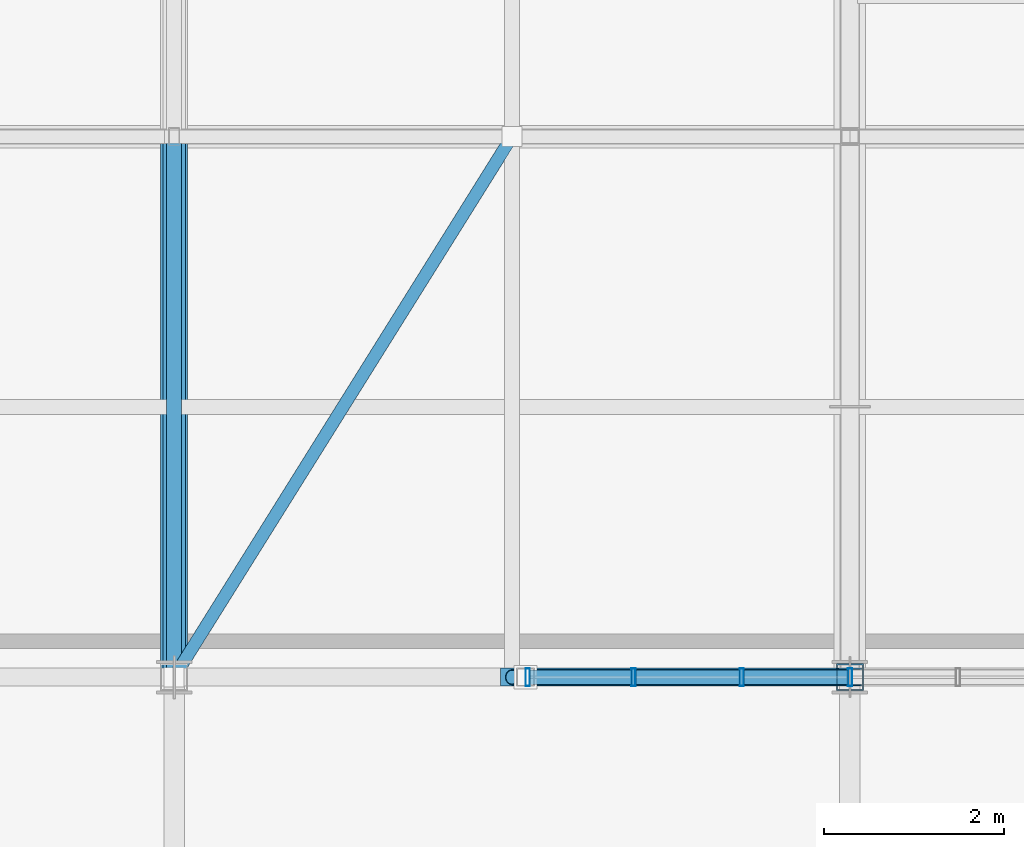
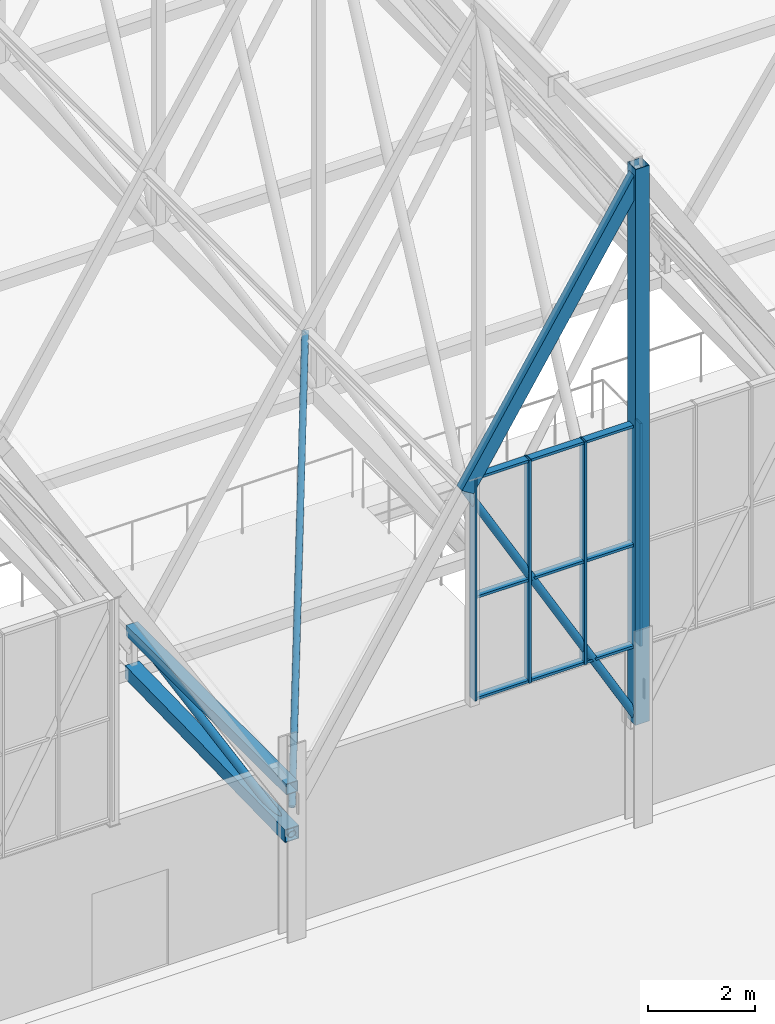
# One storey, part 144 of 324: 20 members, 1 element without a shape of its own.
"""IFC4 building model written with IfcOpenShell, lengths in metres."""

from ifc_helpers import new_model, si_unit, direction, frame, origin, origin_2d, place, context, subcontext, project, spatial, hollow_rectangle, hollow_circle, extrude, material, layer, layer_set, material_profile, profile_set, type_object, element, aggregate, save


model = new_model("IFC4")

# Units and contexts
model_context = context("Model", 3, precision=1e-05, world=origin(), true_north=direction((0.0, 1.0)))
body_context = subcontext(model_context, "Body", "Model", "MODEL_VIEW")
ifc_project = project(units=[si_unit("LENGTHUNIT", "METRE"), si_unit("AREAUNIT", "SQUARE_METRE"), si_unit("VOLUMEUNIT", "CUBIC_METRE"), si_unit("PLANEANGLEUNIT", "RADIAN"), si_unit("MASSUNIT", "GRAM", prefix="KILO")], contexts=[model_context])

# Site, building, storey
site_placement = place(None, origin())
site = spatial("IfcSite", under=ifc_project, at=site_placement, CompositionType="ELEMENT")
building_placement = place(site_placement, origin())
building = spatial("IfcBuilding", under=site, at=building_placement, Name="Solvenia Promenade Tram Depot", CompositionType="ELEMENT")
storey_placement = place(building_placement, frame((0.0, 0.0, 4.5)))
storey = spatial("IfcBuildingStorey", under=building, at=storey_placement, Name="L01", CompositionType="ELEMENT", Elevation=4.5)

# Curtain wall, members
ifc_material_1 = material(Name="Anodized aluminium AW-6063 T6", Category="aluminium")
ifc_layer = layer(ifc_material_1, 0.14990234375, Name="Anodized aluminium AW-6063 T6", Category="aluminium")
ifc_layer_set = layer_set([ifc_layer], Name="Anodized aluminium AW-6063 T6")
curtain_wall_type = type_object("IfcCurtainWallType", Name="CW-Gable-1200", PredefinedType="NOTDEFINED", material=ifc_layer_set)
curtain_wall_placement = place(storey_placement, origin())
curtain_wall = element("IfcCurtainWall", 1, at=curtain_wall_placement, inside=storey, type_object=curtain_wall_type, Name="South Zigzag Gable 09 Peak Glazing", PredefinedType="NOTDEFINED")
ifc_material_profile_1 = material_profile(ifc_material_1, hollow_rectangle(XDim=0.199951171875, YDim=0.048095703125, WallThickness=0.00390625, at=origin_2d()), Name="ALU-M3", Category="aluminium")
ifc_profile_set_1 = profile_set([ifc_material_profile_1], Name="Anodized aluminium AW-6063 T6")
member_type_1 = type_object("IfcMemberType", Name="CWM-Mullion-3", PredefinedType="MULLION", material=ifc_profile_set_1)
member_1_placement = place(storey_placement, frame((123.924072265625, 66.0, 4.050048828125), z_axis=(0.0, 0.0, 1.0), x_axis=(0.0, 1.0, 0.0)))
member_1 = element("IfcMember", 2, at=member_1_placement, type_object=member_type_1, Name="CW-3 mullion 1", PredefinedType="MULLION", context=body_context, shape_type="SweptSolid", body=[
    extrude(hollow_rectangle(XDim=0.199951171875, YDim=0.048095703125, WallThickness=0.00390625, at=origin_2d()), origin(), (0.0, 0.0, 1.0), 5.099853515625),
])
member_2_placement = place(storey_placement, frame((125.10009765625, 66.0, 4.050048828125), z_axis=(0.0, 0.0, 1.0), x_axis=(0.0, 1.0, 0.0)))
member_2 = element("IfcMember", 3, at=member_2_placement, type_object=member_type_1, Name="CW-3 mullion 2", PredefinedType="MULLION", context=body_context, shape_type="SweptSolid", body=[
    extrude(hollow_rectangle(XDim=0.199951171875, YDim=0.048095703125, WallThickness=0.00390625, at=origin_2d()), origin(), (0.0, 0.0, 1.0), 5.099853515625),
])
member_3_placement = place(storey_placement, frame((126.300048828125, 66.0, 4.050048828125), z_axis=(0.0, 0.0, 1.0), x_axis=(0.0, 1.0, 0.0)))
member_3 = element("IfcMember", 4, at=member_3_placement, type_object=member_type_1, Name="CW-3 mullion 3", PredefinedType="MULLION", context=body_context, shape_type="SweptSolid", body=[
    extrude(hollow_rectangle(XDim=0.199951171875, YDim=0.048095703125, WallThickness=0.00390625, at=origin_2d()), origin(), (0.0, 0.0, 1.0), 5.099853515625),
])
member_4_placement = place(storey_placement, frame((127.5, 66.0, 4.050048828125), z_axis=(0.0, 0.0, 1.0), x_axis=(0.0, 1.0, 0.0)))
member_4 = element("IfcMember", 5, at=member_4_placement, type_object=member_type_1, Name="CW-3 mullion 4", PredefinedType="MULLION", context=body_context, shape_type="SweptSolid", body=[
    extrude(hollow_rectangle(XDim=0.199951171875, YDim=0.048095703125, WallThickness=0.00390625, at=origin_2d()), origin(), (0.0, 0.0, 1.0), 5.099853515625),
])
ifc_material_profile_2 = material_profile(ifc_material_1, hollow_rectangle(XDim=0.159912109375, YDim=0.05810546875, WallThickness=0.00390625, at=origin_2d()), Name="ALU-T3", Category="aluminium")
ifc_profile_set_2 = profile_set([ifc_material_profile_2], Name="Anodized aluminium AW-6063 T6")
member_type_2 = type_object("IfcMemberType", Name="CWT-Transom-3", PredefinedType="USERDEFINED", material=ifc_profile_set_2)
member_5_placement = place(storey_placement, frame((123.947998046875, 66.0, 4.0791015625), z_axis=(1.0, 0.0, 0.0), x_axis=(0.0, 1.0, 0.0)))
member_5 = element("IfcMember", 6, at=member_5_placement, type_object=member_type_2, Name="CW-3 transom 1.1", ObjectType="TRANSOM", PredefinedType="USERDEFINED", context=body_context, shape_type="SweptSolid", body=[
    extrude(hollow_rectangle(XDim=0.159912109375, YDim=0.05810546875, WallThickness=0.00390625, at=origin_2d()), origin(), (0.0, 0.0, 1.0), 1.1279296875),
])
member_6_placement = place(storey_placement, frame((123.947998046875, 66.0, 6.39990234375), z_axis=(1.0, 0.0, 0.0), x_axis=(0.0, 1.0, 0.0)))
member_6 = element("IfcMember", 7, at=member_6_placement, type_object=member_type_2, Name="CW-3 transom 1.2", ObjectType="TRANSOM", PredefinedType="USERDEFINED", context=body_context, shape_type="SweptSolid", body=[
    extrude(hollow_rectangle(XDim=0.159912109375, YDim=0.05810546875, WallThickness=0.00390625, at=origin_2d()), origin(), (0.0, 0.0, 1.0), 1.1279296875),
])
member_7_placement = place(storey_placement, frame((123.947998046875, 66.0, 9.12109375), z_axis=(1.0, 0.0, 0.0), x_axis=(0.0, 1.0, 0.0)))
member_7 = element("IfcMember", 8, at=member_7_placement, type_object=member_type_2, Name="CW-3 transom 1.3", ObjectType="TRANSOM", PredefinedType="USERDEFINED", context=body_context, shape_type="SweptSolid", body=[
    extrude(hollow_rectangle(XDim=0.159912109375, YDim=0.05810546875, WallThickness=0.00390625, at=origin_2d()), origin(), (0.0, 0.0, 1.0), 1.1279296875),
])
member_8_placement = place(storey_placement, frame((125.1240234375, 66.0, 4.0791015625), z_axis=(1.0, 0.0, 0.0), x_axis=(0.0, 1.0, 0.0)))
member_8 = element("IfcMember", 9, at=member_8_placement, type_object=member_type_2, Name="CW-3 transom 2.1", ObjectType="TRANSOM", PredefinedType="USERDEFINED", context=body_context, shape_type="SweptSolid", body=[
    extrude(hollow_rectangle(XDim=0.159912109375, YDim=0.05810546875, WallThickness=0.00390625, at=origin_2d()), origin(), (0.0, 0.0, 1.0), 1.15185546875),
])
member_9_placement = place(storey_placement, frame((125.1240234375, 66.0, 6.39990234375), z_axis=(1.0, 0.0, 0.0), x_axis=(0.0, 1.0, 0.0)))
member_9 = element("IfcMember", 10, at=member_9_placement, type_object=member_type_2, Name="CW-3 transom 2.2", ObjectType="TRANSOM", PredefinedType="USERDEFINED", context=body_context, shape_type="SweptSolid", body=[
    extrude(hollow_rectangle(XDim=0.159912109375, YDim=0.05810546875, WallThickness=0.00390625, at=origin_2d()), origin(), (0.0, 0.0, 1.0), 1.15185546875),
])
member_10_placement = place(storey_placement, frame((125.1240234375, 66.0, 9.12109375), z_axis=(1.0, 0.0, 0.0), x_axis=(0.0, 1.0, 0.0)))
member_10 = element("IfcMember", 11, at=member_10_placement, type_object=member_type_2, Name="CW-3 transom 2.3", ObjectType="TRANSOM", PredefinedType="USERDEFINED", context=body_context, shape_type="SweptSolid", body=[
    extrude(hollow_rectangle(XDim=0.159912109375, YDim=0.05810546875, WallThickness=0.00390625, at=origin_2d()), origin(), (0.0, 0.0, 1.0), 1.15185546875),
])
member_11_placement = place(storey_placement, frame((126.323974609375, 66.0, 4.0791015625), z_axis=(1.0, 0.0, 0.0), x_axis=(0.0, 1.0, 0.0)))
member_11 = element("IfcMember", 12, at=member_11_placement, type_object=member_type_2, Name="CW-3 transom 3.1", ObjectType="TRANSOM", PredefinedType="USERDEFINED", context=body_context, shape_type="SweptSolid", body=[
    extrude(hollow_rectangle(XDim=0.159912109375, YDim=0.05810546875, WallThickness=0.00390625, at=origin_2d()), origin(), (0.0, 0.0, 1.0), 1.152099609375),
])
member_12_placement = place(storey_placement, frame((126.323974609375, 66.0, 6.39990234375), z_axis=(1.0, 0.0, 0.0), x_axis=(0.0, 1.0, 0.0)))
member_12 = element("IfcMember", 13, at=member_12_placement, type_object=member_type_2, Name="CW-3 transom 3.2", ObjectType="TRANSOM", PredefinedType="USERDEFINED", context=body_context, shape_type="SweptSolid", body=[
    extrude(hollow_rectangle(XDim=0.159912109375, YDim=0.05810546875, WallThickness=0.00390625, at=origin_2d()), origin(), (0.0, 0.0, 1.0), 1.152099609375),
])
member_13_placement = place(storey_placement, frame((126.323974609375, 66.0, 9.12109375), z_axis=(1.0, 0.0, 0.0), x_axis=(0.0, 1.0, 0.0)))
member_13 = element("IfcMember", 14, at=member_13_placement, type_object=member_type_2, Name="CW-3 transom 3.3", ObjectType="TRANSOM", PredefinedType="USERDEFINED", context=body_context, shape_type="SweptSolid", body=[
    extrude(hollow_rectangle(XDim=0.159912109375, YDim=0.05810546875, WallThickness=0.00390625, at=origin_2d()), origin(), (0.0, 0.0, 1.0), 1.152099609375),
])
aggregate(curtain_wall, [member_1, member_2, member_3, member_4, member_5, member_6, member_7, member_8, member_9, member_10, member_11, member_12, member_13])

# Members
ifc_material_2 = material(Name="Structural steel ASTM A500 Gr. C", Category="steel")
ifc_material_profile_3 = material_profile(ifc_material_2, hollow_rectangle(XDim=0.25, YDim=0.25, WallThickness=0.010009765625, at=origin_2d()), Name="HSS250x250x10", Category="steel")
ifc_profile_set_3 = profile_set([ifc_material_profile_3], Name="Structural steel ASTM A500 Gr. C")
member_type_3 = type_object("IfcMemberType", Name="Chord-HSS250x250x10", PredefinedType="CHORD", material=ifc_profile_set_3)
member_14_placement = place(storey_placement, frame((120.0, 66.0, 3.3798828125), z_axis=(0.0, 1.0, 0.0), x_axis=(-1.0, 0.0, 0.0)))
element("IfcMember", 15, at=member_14_placement, inside=storey, type_object=member_type_3, Name="Arched Truss T17 Upper Chord S01", PredefinedType="CHORD", context=body_context, shape_type="SweptSolid", body=[
    extrude(hollow_rectangle(XDim=0.25, YDim=0.25, WallThickness=0.010009765625, at=origin_2d()), origin(), (0.0, 0.0, 1.0), 6.0),
])
ifc_material_profile_4 = material_profile(ifc_material_2, hollow_rectangle(XDim=0.199951171875, YDim=0.300048828125, WallThickness=0.012451171875, at=origin_2d()), Name="HSS300x200x12.5", Category="steel")
ifc_profile_set_4 = profile_set([ifc_material_profile_4], Name="Structural steel ASTM A500 Gr. C")
member_type_4 = type_object("IfcMemberType", Name="Chord-HSS300x200x12", PredefinedType="CHORD", material=ifc_profile_set_4)
member_15_placement = place(storey_placement, frame((123.75, 66.0, 8.8876953125), z_axis=(0.533522444929, 0.0, 0.845785907164), x_axis=(0.0, 1.0, 0.0)))
element("IfcMember", 16, at=member_15_placement, inside=storey, type_object=member_type_4, Name="Zigzag Gable 09 West Upper Rafter", PredefinedType="CHORD", context=body_context, shape_type="SweptSolid", body=[
    extrude(hollow_rectangle(XDim=0.199951171875, YDim=0.300048828125, WallThickness=0.012451171875, at=origin_2d()), origin(), (0.0, 0.0, 1.0), 7.02880859375),
])
ifc_material_profile_5 = material_profile(ifc_material_2, hollow_rectangle(XDim=0.300048828125, YDim=0.300048828125, WallThickness=0.012451171875, at=origin_2d()), Name="HSS300x300x12.5", Category="steel")
ifc_profile_set_5 = profile_set([ifc_material_profile_5], Name="Structural steel ASTM A500 Gr. C")
member_type_5 = type_object("IfcMemberType", Name="Chord-HSS300x300x12", PredefinedType="CHORD", material=ifc_profile_set_5)
member_16_placement = place(storey_placement, frame((120.0, 66.0, 2.320068359375), z_axis=(0.0, 0.999779654873, 0.020991467363), x_axis=(-1.0, 0.0, 0.0)))
element("IfcMember", 17, at=member_16_placement, inside=storey, type_object=member_type_5, Name="Arched Truss T17 Bottom Chord S01", PredefinedType="CHORD", context=body_context, shape_type="SweptSolid", body=[
    extrude(hollow_rectangle(XDim=0.300048828125, YDim=0.300048828125, WallThickness=0.012451171875, at=origin_2d()), origin(), (0.0, 0.0, 1.0), 6.001220703125),
])
member_17_placement = place(storey_placement, frame((127.5, 66.0, 2.320068359375), z_axis=(0.0, 0.0, 1.0), x_axis=(1.0, 0.0, 0.0)))
element("IfcMember", 18, at=member_17_placement, inside=storey, type_object=member_type_5, Name="Arched Truss T18 S End Post", PredefinedType="CHORD", context=body_context, shape_type="SweptSolid", body=[
    extrude(hollow_rectangle(XDim=0.300048828125, YDim=0.300048828125, WallThickness=0.012451171875, at=origin_2d()), origin(), (0.0, 0.0, 1.0), 12.719970703125),
])
ifc_material_profile_6 = material_profile(ifc_material_2, hollow_circle(Radius=0.06982421875, WallThickness=0.00634765625, at=origin_2d()), Name="CHS139.7x6.3", Category="steel")
ifc_profile_set_6 = profile_set([ifc_material_profile_6], Name="Structural steel ASTM A500 Gr. C")
member_type_6 = type_object("IfcMemberType", Name="RoofBrace-CHS140x6", PredefinedType="BRACE", material=ifc_profile_set_6)
member_18_placement = place(storey_placement, frame((120.0, 66.0, 2.942626953125), z_axis=(0.40577587023, 0.649241392368, 0.643297409894), x_axis=(-0.847998304005, 0.529998940003, 0.0)))
element("IfcMember", 19, at=member_18_placement, inside=storey, type_object=member_type_6, Name="Roof Plan Wind Brace 017", PredefinedType="BRACE", context=body_context, shape_type="SweptSolid", body=[
    extrude(hollow_circle(Radius=0.06982421875, WallThickness=0.00634765625, at=origin_2d()), origin(), (0.0, 0.0, 1.0), 9.241455078125),
])
ifc_material_profile_7 = material_profile(ifc_material_2, hollow_circle(Radius=0.084228515625, WallThickness=0.008056640625, at=origin_2d()), Name="CHS168.3x8", Category="steel")
ifc_profile_set_7 = profile_set([ifc_material_profile_7], Name="Structural steel ASTM A500 Gr. C")
member_type_7 = type_object("IfcMemberType", Name="WebDiag-CHS168x8", PredefinedType="BRACE", material=ifc_profile_set_7)
member_19_placement = place(storey_placement, frame((120.0, 66.0, 2.320068359375), z_axis=(0.0, 0.984755712458, 0.173943056143), x_axis=(-1.0, 0.0, 0.0)))
element("IfcMember", 20, at=member_19_placement, inside=storey, type_object=member_type_7, Name="Arched Truss T17 Web Diagonal S01", PredefinedType="BRACE", context=body_context, shape_type="SweptSolid", body=[
    extrude(hollow_circle(Radius=0.084228515625, WallThickness=0.008056640625, at=origin_2d()), origin(), (0.0, 0.0, 1.0), 6.0927734375),
])
member_20_placement = place(storey_placement, frame((127.5, 66.0, 2.320068359375), z_axis=(-0.495846885085, 0.0, 0.868409964562), x_axis=(0.0, -1.0, 0.0)))
element("IfcMember", 21, at=member_20_placement, inside=storey, type_object=member_type_7, Name="Zigzag Gable 09 West Knee Strut", PredefinedType="BRACE", context=body_context, shape_type="SweptSolid", body=[
    extrude(hollow_circle(Radius=0.084228515625, WallThickness=0.008056640625, at=origin_2d()), origin(), (0.0, 0.0, 1.0), 7.562744140625),
])

save(model, "model.ifc")
